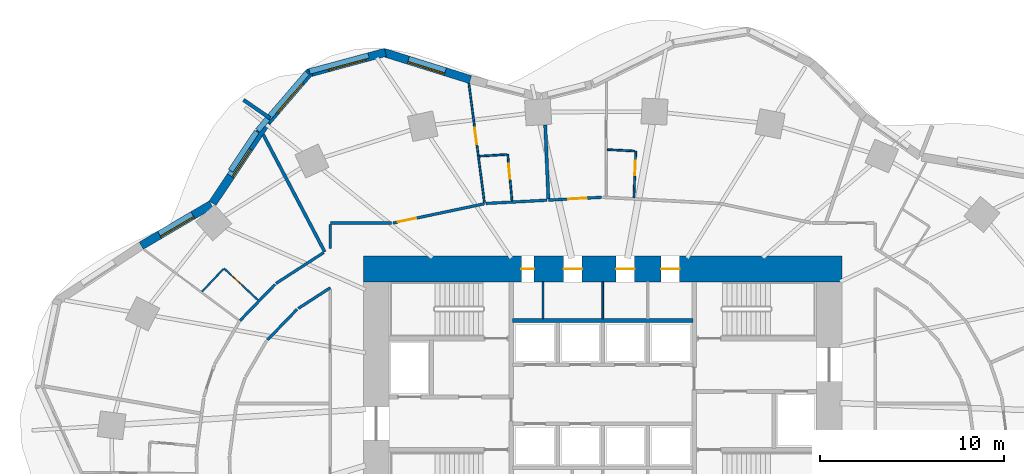
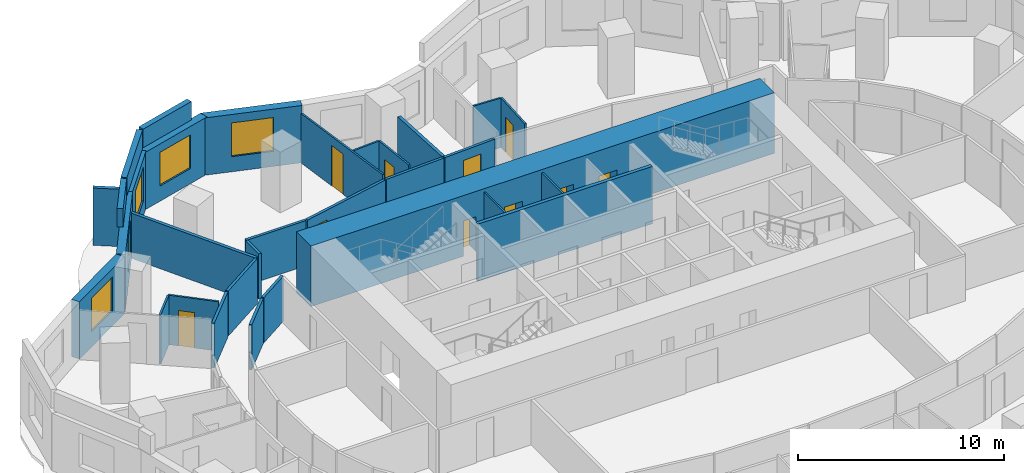
# One storey, part 8 of 11: 31 walls, 10 doors, 5 windows, 15 openings.
"""IFC4 building model written with IfcOpenShell, lengths in metres."""

from ifc_helpers import new_model, si_unit, direction, frame, frame_2d, origin, place, context, subcontext, project, spatial, rectangle, extrude, material, layer, layer_set, type_object, element, fill, save


model = new_model("IFC4")

# Units and contexts
model_context = context("Model", 3, precision=1e-05, world=origin(), true_north=direction((0.0, 1.0)))
body_context = subcontext(model_context, "Body", "Model", "MODEL_VIEW")
ifc_project = project(units=[si_unit("LENGTHUNIT", "METRE"), si_unit("AREAUNIT", "SQUARE_METRE"), si_unit("VOLUMEUNIT", "CUBIC_METRE"), si_unit("PLANEANGLEUNIT", "RADIAN"), si_unit("MASSUNIT", "GRAM", prefix="KILO")], contexts=[model_context])

# Site, building, storey
site_placement = place(None, origin())
site = spatial("IfcSite", under=ifc_project, at=site_placement, CompositionType="ELEMENT")
building_placement = place(site_placement, origin())
building = spatial("IfcBuilding", under=site, at=building_placement, Name="Rubra Terraces Tower", CompositionType="ELEMENT")
storey_placement = place(building_placement, frame((0.0, 0.0, 48.300048828125)))
storey = spatial("IfcBuildingStorey", under=building, at=storey_placement, Name="L09", CompositionType="ELEMENT", Elevation=48.300048828125)

# Walls
ifc_material_1 = material(Name="Twin plasterboard on staggered steel stud, acoustic mineral wool", Category="steel")
ifc_layer_1 = layer(ifc_material_1, 0.175048828125)
ifc_layer_set_1 = layer_set([ifc_layer_1], Name="Twin plasterboard on staggered steel stud, acoustic mineral wool")
wall_type_1 = type_object("IfcWallType", Name="ACOUSTIC PARTY WALL 175", PredefinedType="PARTITIONING", material=ifc_layer_set_1)
wall_1_placement = place(storey_placement, frame((-3.124755859375, 19.126953125, 0.0), z_axis=(0.0, 0.0, 1.0), x_axis=(0.042285996913, -0.99910554721, 0.0)))
element("IfcWall", 1, at=wall_1_placement, inside=storey, type_object=wall_type_1, Name="PARTITION", PredefinedType="PARTITIONING", context=body_context, shape_type="SweptSolid", body=[
    extrude(rectangle(XDim=4.0126953125, YDim=0.175048828125, at=frame_2d((2.00634765625, 0.0))), origin(), (0.0, 0.0, 1.0), 2.679931640625),
])
wall_2_placement = place(storey_placement, frame((-18.438720703125, 18.585693359375, 0.0), z_axis=(0.0, 0.0, 1.0), x_axis=(0.464815231758, -0.885407702884, 0.0)))
element("IfcWall", 2, at=wall_2_placement, inside=storey, type_object=wall_type_1, Name="PARTITION", PredefinedType="PARTITIONING", context=body_context, shape_type="SweptSolid", body=[
    extrude(rectangle(XDim=7.177001953125, YDim=0.175048828125, at=frame_2d((3.58837890625, 0.0))), origin(), (0.0, 0.0, 1.0), 2.679931640625),
])

# Wall, opening, window
ifc_material_2 = material(Name="Brick masonry red-brown", Category="masonry")
ifc_layer_2 = layer(ifc_material_2, 0.449951171875)
ifc_layer_set_2 = layer_set([ifc_layer_2], Name="Brick masonry red-brown")
wall_type_2 = type_object("IfcWallType", Name="Brick facade wall 450", PredefinedType="SOLIDWALL", material=ifc_layer_set_2)
wall_3_placement = place(storey_placement, frame((-7.195556640625, 21.592529296875, 0.0), z_axis=(0.0, 0.0, 1.0), x_axis=(-0.954471218741, 0.298303021432, 0.0)))
wall_3 = element("IfcWall", 3, at=wall_3_placement, inside=storey, type_object=wall_type_2, Name="Facade wall L09 bay 13", PredefinedType="SOLIDWALL", context=body_context, shape_type="SweptSolid", body=[
    extrude(rectangle(XDim=4.959716796875, YDim=0.449951171875, at=frame_2d((2.47998046875, 0.0))), origin(), (0.0, 0.0, 1.0), 3.39990234375),
])
opening_1_placement = place(wall_3_placement, frame((1.4296875, 0.0, 0.89990234375)))
opening_1 = element("IfcOpeningElement", 4, at=opening_1_placement, cuts=wall_3, Name="Opening W1", PredefinedType="OPENING", context=body_context, shape_type="SweptSolid", body=[
    extrude(rectangle(XDim=2.10009765625, YDim=2.0, at=frame_2d((1.050048828125, 1.0))), frame((0.0, 0.23486328125, 0.0), z_axis=(0.0, -1.0, 0.0), x_axis=(1.0, 0.0, 0.0)), (0.0, 0.0, 1.0), 0.469970703125),
])
ifc_material_3 = material(Name="Clear glass in aluminium frame", Category="aluminium")
window_type_1 = type_object("IfcWindowType", Name="Fixed deep-set window 2100 x 2000", PartitioningType="SINGLE_PANEL", PredefinedType="WINDOW", material=ifc_material_3)
window_1_placement = place(opening_1_placement, origin())
window_1 = element("IfcWindow", 5, at=window_1_placement, inside=storey, type_object=window_type_1, Name="Window L09 bay 13", OverallHeight=2.0, OverallWidth=2.10009765625, PartitioningType="SINGLE_PANEL", PredefinedType="WINDOW", context=body_context, shape_type="SweptSolid", body=[
    extrude(rectangle(XDim=2.10009765625, YDim=2.0, at=frame_2d((1.050048828125, 1.0))), frame((0.0, 0.135009765625, 0.0), z_axis=(0.0, -1.0, 0.0), x_axis=(1.0, 0.0, 0.0)), (0.0, 0.0, 1.0), 0.06005859375),
])
fill(opening_1, window_1)

wall_4_placement = place(storey_placement, frame((-11.807373046875, 23.07080078125, 0.0), z_axis=(0.0, 0.0, 1.0), x_axis=(-0.965334520334, -0.261015830653, 0.0)))
wall_4 = element("IfcWall", 6, at=wall_4_placement, inside=storey, type_object=wall_type_2, Name="Facade wall L09 bay 14", PredefinedType="SOLIDWALL", context=body_context, shape_type="SweptSolid", body=[
    extrude(rectangle(XDim=4.37548828125, YDim=0.449951171875, at=frame_2d((2.187744140625, 0.0))), origin(), (0.0, 0.0, 1.0), 3.39990234375),
])
opening_2_placement = place(wall_4_placement, frame((1.1376953125, 0.0, 0.89990234375)))
opening_2 = element("IfcOpeningElement", 7, at=opening_2_placement, cuts=wall_4, Name="Opening W1", PredefinedType="OPENING", context=body_context, shape_type="SweptSolid", body=[
    extrude(rectangle(XDim=2.10009765625, YDim=2.0, at=frame_2d((1.050048828125, 1.0))), frame((0.0, 0.23486328125, 0.0), z_axis=(0.0, -1.0, 0.0), x_axis=(1.0, 0.0, 0.0)), (0.0, 0.0, 1.0), 0.469970703125),
])
window_2_placement = place(opening_2_placement, origin())
window_2 = element("IfcWindow", 8, at=window_2_placement, inside=storey, type_object=window_type_1, Name="Window L09 bay 14", OverallHeight=2.0, OverallWidth=2.10009765625, PartitioningType="SINGLE_PANEL", PredefinedType="WINDOW", context=body_context, shape_type="SweptSolid", body=[
    extrude(rectangle(XDim=2.10009765625, YDim=2.0, at=frame_2d((1.050048828125, 1.0))), frame((0.0, 0.135009765625, 0.0), z_axis=(0.0, -1.0, 0.0), x_axis=(1.0, 0.0, 0.0)), (0.0, 0.0, 1.0), 0.06005859375),
])
fill(opening_2, window_2)

wall_5_placement = place(storey_placement, frame((-15.91943359375, 21.999267578125, 0.0), z_axis=(0.0, 0.0, 1.0), x_axis=(-0.652009971272, -0.758210391225, 0.0)))
wall_5 = element("IfcWall", 9, at=wall_5_placement, inside=storey, type_object=wall_type_2, Name="Facade wall L09 bay 15", PredefinedType="SOLIDWALL", context=body_context, shape_type="SweptSolid", body=[
    extrude(rectangle(XDim=3.544921875, YDim=0.449951171875, at=frame_2d((1.7724609375, 0.0))), origin(), (0.0, 0.0, 1.0), 3.39990234375),
])
opening_3_placement = place(wall_5_placement, frame((0.722412109375, 0.0, 0.89990234375)))
opening_3 = element("IfcOpeningElement", 10, at=opening_3_placement, cuts=wall_5, Name="Opening W1", PredefinedType="OPENING", context=body_context, shape_type="SweptSolid", body=[
    extrude(rectangle(XDim=2.10009765625, YDim=2.0, at=frame_2d((1.050048828125, 1.0))), frame((0.0, 0.23486328125, 0.0), z_axis=(0.0, -1.0, 0.0), x_axis=(1.0, 0.0, 0.0)), (0.0, 0.0, 1.0), 0.469970703125),
])
window_3_placement = place(opening_3_placement, origin())
window_3 = element("IfcWindow", 11, at=window_3_placement, inside=storey, type_object=window_type_1, Name="Window L09 bay 15", OverallHeight=2.0, OverallWidth=2.10009765625, PartitioningType="SINGLE_PANEL", PredefinedType="WINDOW", context=body_context, shape_type="SweptSolid", body=[
    extrude(rectangle(XDim=2.10009765625, YDim=2.0, at=frame_2d((1.050048828125, 1.0))), frame((0.0, 0.135009765625, 0.0), z_axis=(0.0, -1.0, 0.0), x_axis=(1.0, 0.0, 0.0)), (0.0, 0.0, 1.0), 0.06005859375),
])
fill(opening_3, window_3)

wall_6_placement = place(storey_placement, frame((-18.21435546875, 19.333251953125, 0.0), z_axis=(0.0, 0.0, 1.0), x_axis=(-0.555833135316, -0.831293886471, 0.0)))
wall_6 = element("IfcWall", 12, at=wall_6_placement, inside=storey, type_object=wall_type_2, Name="Facade wall L09 bay 16", PredefinedType="SOLIDWALL", context=body_context, shape_type="SweptSolid", body=[
    extrude(rectangle(XDim=5.368408203125, YDim=0.449951171875, at=frame_2d((2.68408203125, 0.0))), origin(), (0.0, 0.0, 1.0), 3.39990234375),
])
opening_4_placement = place(wall_6_placement, frame((1.7841796875, 0.0, 0.89990234375)))
opening_4 = element("IfcOpeningElement", 13, at=opening_4_placement, cuts=wall_6, Name="Opening W6", PredefinedType="OPENING", context=body_context, shape_type="SweptSolid", body=[
    extrude(rectangle(XDim=1.800048828125, YDim=2.0, at=frame_2d((0.89990234375, 1.0))), frame((0.0, 0.23486328125, 0.0), z_axis=(0.0, -1.0, 0.0), x_axis=(1.0, 0.0, 0.0)), (0.0, 0.0, 1.0), 0.469970703125),
])
window_type_2 = type_object("IfcWindowType", Name="Fixed deep-set window at wind fin 1800 x 2000", PartitioningType="SINGLE_PANEL", PredefinedType="WINDOW", material=ifc_material_3)
window_4_placement = place(opening_4_placement, origin())
window_4 = element("IfcWindow", 14, at=window_4_placement, inside=storey, type_object=window_type_2, Name="Window L09 bay 16", OverallHeight=2.0, OverallWidth=1.800048828125, PartitioningType="SINGLE_PANEL", PredefinedType="WINDOW", context=body_context, shape_type="SweptSolid", body=[
    extrude(rectangle(XDim=1.800048828125, YDim=2.0, at=frame_2d((0.89990234375, 1.0))), frame((0.0, 0.135009765625, 0.0), z_axis=(0.0, -1.0, 0.0), x_axis=(1.0, 0.0, 0.0)), (0.0, 0.0, 1.0), 0.06005859375),
])
fill(opening_4, window_4)

wall_7_placement = place(storey_placement, frame((-21.265625, 14.805419921875, 0.0), z_axis=(0.0, 0.0, 1.0), x_axis=(-0.861975457737, -0.506950007653, 0.0)))
wall_7 = element("IfcWall", 15, at=wall_7_placement, inside=storey, type_object=wall_type_2, Name="Facade wall L09 bay 17", PredefinedType="SOLIDWALL", context=body_context, shape_type="SweptSolid", body=[
    extrude(rectangle(XDim=4.412841796875, YDim=0.449951171875, at=frame_2d((2.20654296875, 0.0))), origin(), (0.0, 0.0, 1.0), 3.39990234375),
])
opening_5_placement = place(wall_7_placement, frame((1.156494140625, 0.0, 0.89990234375)))
opening_5 = element("IfcOpeningElement", 16, at=opening_5_placement, cuts=wall_7, Name="Opening W1", PredefinedType="OPENING", context=body_context, shape_type="SweptSolid", body=[
    extrude(rectangle(XDim=2.10009765625, YDim=2.0, at=frame_2d((1.050048828125, 1.0))), frame((0.0, 0.23486328125, 0.0), z_axis=(0.0, -1.0, 0.0), x_axis=(1.0, 0.0, 0.0)), (0.0, 0.0, 1.0), 0.469970703125),
])
window_5_placement = place(opening_5_placement, origin())
window_5 = element("IfcWindow", 17, at=window_5_placement, inside=storey, type_object=window_type_1, Name="Window L09 bay 17", OverallHeight=2.0, OverallWidth=2.10009765625, PartitioningType="SINGLE_PANEL", PredefinedType="WINDOW", context=body_context, shape_type="SweptSolid", body=[
    extrude(rectangle(XDim=2.10009765625, YDim=2.0, at=frame_2d((1.050048828125, 1.0))), frame((0.0, 0.135009765625, 0.0), z_axis=(0.0, -1.0, 0.0), x_axis=(1.0, 0.0, 0.0)), (0.0, 0.0, 1.0), 0.06005859375),
])
fill(opening_5, window_5)

# Walls
ifc_layer_3 = layer(ifc_material_2, 0.300048828125)
ifc_layer_set_3 = layer_set([ifc_layer_3], Name="Brick masonry red-brown")
wall_type_3 = type_object("IfcWallType", Name="Brick parapet 300", PredefinedType="PARAPET", material=ifc_layer_set_3)
wall_8_placement = place(storey_placement, frame((-12.722412109375, 22.901123046875, 3.599853515625), z_axis=(0.0, 0.0, 1.0), x_axis=(-0.96534590031, -0.260973739589, 0.0)))
element("IfcWall", 18, at=wall_8_placement, inside=storey, type_object=wall_type_3, Name="Parapet L09 bay 14", PredefinedType="PARAPET", context=body_context, shape_type="SweptSolid", body=[
    extrude(rectangle(XDim=3.32568359375, YDim=0.300048828125, at=frame_2d((1.662841796875, 0.0))), origin(), (0.0, 0.0, 1.0), 1.10009765625),
])
wall_9_placement = place(storey_placement, frame((-16.055908203125, 21.95556640625, 3.599853515625), z_axis=(0.0, 0.0, 1.0), x_axis=(-0.652038588201, -0.75818578165, 0.0)))
element("IfcWall", 19, at=wall_9_placement, inside=storey, type_object=wall_type_3, Name="Parapet L09 bay 15", PredefinedType="PARAPET", context=body_context, shape_type="SweptSolid", body=[
    extrude(rectangle(XDim=4.1240234375, YDim=0.300048828125, at=frame_2d((2.06201171875, 0.0))), origin(), (0.0, 0.0, 1.0), 1.10009765625),
])
wall_10_placement = place(storey_placement, frame((-18.7919921875, 18.7666015625, 3.599853515625), z_axis=(0.0, 0.0, 1.0), x_axis=(-0.555843382853, -0.831287034507, 0.0)))
element("IfcWall", 20, at=wall_10_placement, inside=storey, type_object=wall_type_3, Name="Parapet L09 bay 16", PredefinedType="PARAPET", context=body_context, shape_type="SweptSolid", body=[
    extrude(rectangle(XDim=2.5615234375, YDim=0.300048828125, at=frame_2d((1.28076171875, 0.0))), origin(), (0.0, 0.0, 1.0), 1.10009765625),
])
ifc_layer_4 = layer(ifc_material_2, 0.199951171875)
ifc_layer_set_4 = layer_set([ifc_layer_4], Name="Brick masonry red-brown")
wall_type_4 = type_object("IfcWallType", Name="Brick wind fin 200", PredefinedType="SOLIDWALL", material=ifc_layer_set_4)
wall_11_placement = place(storey_placement, frame((-18.075927734375, 19.491943359375, 0.0), z_axis=(0.0, 0.0, 1.0), x_axis=(-0.822618823872, 0.568593238274, 0.0)))
element("IfcWall", 21, at=wall_11_placement, inside=storey, type_object=wall_type_4, Name="Wind fin L09 9", PredefinedType="SOLIDWALL", context=body_context, shape_type="SweptSolid", body=[
    extrude(rectangle(XDim=1.750244140625, YDim=0.199951171875, at=frame_2d((0.875, 0.0))), origin(), (0.0, 0.0, 1.0), 3.39990234375),
])

# Wall, openings, doors
ifc_material_4 = material(Name="Concrete C70", Category="concrete")
ifc_layer_5 = layer(ifc_material_4, 1.39990234375)
ifc_layer_set_5 = layer_set([ifc_layer_5], Name="Concrete C70")
wall_type_5 = type_object("IfcWallType", Name="CORE WALL 1400 C70", PredefinedType="SHEAR", material=ifc_layer_set_5)
wall_12_placement = place(storey_placement, frame((-13.0, 11.300048828125, 0.0), z_axis=(0.0, 0.0, 1.0), x_axis=(1.0, 0.0, 0.0)))
wall_12 = element("IfcWall", 22, at=wall_12_placement, inside=storey, type_object=wall_type_5, Name="CORE WALL N L09", PredefinedType="SHEAR", context=body_context, shape_type="SweptSolid", body=[
    extrude(rectangle(XDim=26.0, YDim=1.39990234375, at=frame_2d((13.0, 0.0))), origin(), (0.0, 0.0, 1.0), 3.599853515625),
])
opening_6_placement = place(wall_12_placement, frame((8.574951171875, 0.0, 0.0)))
opening_6 = element("IfcOpeningElement", 23, at=opening_6_placement, cuts=wall_12, Name="Opening L09.C23", PredefinedType="OPENING", context=body_context, shape_type="SweptSolid", body=[
    extrude(rectangle(XDim=0.699951171875, YDim=2.10009765625, at=frame_2d((0.35009765625, 1.050048828125))), frame((0.0, 0.7099609375, 0.0), z_axis=(0.0, -1.0, 0.0), x_axis=(1.0, 0.0, 0.0)), (0.0, 0.0, 1.0), 1.419921875),
])
opening_7_placement = place(wall_12_placement, frame((10.875, 0.0, 0.0)))
opening_7 = element("IfcOpeningElement", 24, at=opening_7_placement, cuts=wall_12, Name="Opening L09.C24", PredefinedType="OPENING", context=body_context, shape_type="SweptSolid", body=[
    extrude(rectangle(XDim=1.0, YDim=2.10009765625, at=frame_2d((0.5, 1.050048828125))), frame((0.0, 0.7099609375, 0.0), z_axis=(0.0, -1.0, 0.0), x_axis=(1.0, 0.0, 0.0)), (0.0, 0.0, 1.0), 1.419921875),
])
opening_8_placement = place(wall_12_placement, frame((13.72509765625, 0.0, 0.0)))
opening_8 = element("IfcOpeningElement", 25, at=opening_8_placement, cuts=wall_12, Name="Opening L09.C25", PredefinedType="OPENING", context=body_context, shape_type="SweptSolid", body=[
    extrude(rectangle(XDim=1.0, YDim=2.10009765625, at=frame_2d((0.5, 1.050048828125))), frame((0.0, 0.7099609375, 0.0), z_axis=(0.0, -1.0, 0.0), x_axis=(1.0, 0.0, 0.0)), (0.0, 0.0, 1.0), 1.419921875),
])
opening_9_placement = place(wall_12_placement, frame((16.175048828125, 0.0, 0.0)))
opening_9 = element("IfcOpeningElement", 26, at=opening_9_placement, cuts=wall_12, Name="Opening L09.C26", PredefinedType="OPENING", context=body_context, shape_type="SweptSolid", body=[
    extrude(rectangle(XDim=1.0, YDim=2.10009765625, at=frame_2d((0.5, 1.050048828125))), frame((0.0, 0.7099609375, 0.0), z_axis=(0.0, -1.0, 0.0), x_axis=(1.0, 0.0, 0.0)), (0.0, 0.0, 1.0), 1.419921875),
])
ifc_material_5 = material(Name="Painted steel", Category="steel")
door_type_1 = type_object("IfcDoorType", Name="Fire door 1000x2100 single", OperationType="NOTDEFINED", PredefinedType="DOOR", material=ifc_material_5)
door_1_placement = place(opening_7_placement, origin())
door_1 = element("IfcDoor", 27, at=door_1_placement, inside=storey, type_object=door_type_1, Name="Housekeeping store door", OperationType="SINGLE_SWING_RIGHT", OverallHeight=2.10009765625, OverallWidth=1.0, PredefinedType="DOOR", context=body_context, shape_type="SweptSolid", body=[
    extrude(rectangle(XDim=1.0, YDim=2.10009765625, at=frame_2d((0.5, 1.050048828125))), frame((0.0, 0.02490234375, 0.0), z_axis=(0.0, -1.0, 0.0), x_axis=(1.0, 0.0, 0.0)), (0.0, 0.0, 1.0), 0.050048828125),
])
fill(opening_7, door_1)
door_2_placement = place(opening_8_placement, origin())
door_2 = element("IfcDoor", 28, at=door_2_placement, inside=storey, type_object=door_type_1, Name="Ice and vending room door", OperationType="SINGLE_SWING_LEFT", OverallHeight=2.10009765625, OverallWidth=1.0, PredefinedType="DOOR", context=body_context, shape_type="SweptSolid", body=[
    extrude(rectangle(XDim=1.0, YDim=2.10009765625, at=frame_2d((0.5, 1.050048828125))), frame((0.0, 0.02490234375, 0.0), z_axis=(0.0, -1.0, 0.0), x_axis=(1.0, 0.0, 0.0)), (0.0, 0.0, 1.0), 0.050048828125),
])
fill(opening_8, door_2)
door_3_placement = place(opening_9_placement, origin())
door_3 = element("IfcDoor", 29, at=door_3_placement, inside=storey, type_object=door_type_1, Name="General store door", OperationType="SINGLE_SWING_RIGHT", OverallHeight=2.10009765625, OverallWidth=1.0, PredefinedType="DOOR", context=body_context, shape_type="SweptSolid", body=[
    extrude(rectangle(XDim=1.0, YDim=2.10009765625, at=frame_2d((0.5, 1.050048828125))), frame((0.0, 0.02490234375, 0.0), z_axis=(0.0, -1.0, 0.0), x_axis=(1.0, 0.0, 0.0)), (0.0, 0.0, 1.0), 0.050048828125),
])
fill(opening_9, door_3)
door_type_2 = type_object("IfcDoorType", Name="Riser access door 700x2100 single", OperationType="NOTDEFINED", PredefinedType="DOOR", material=ifc_material_5)
door_4_placement = place(opening_6_placement, origin())
door_4 = element("IfcDoor", 30, at=door_4_placement, inside=storey, type_object=door_type_2, Name="Water and drainage riser door", OperationType="SINGLE_SWING_LEFT", OverallHeight=2.10009765625, OverallWidth=0.699951171875, PredefinedType="DOOR", context=body_context, shape_type="SweptSolid", body=[
    extrude(rectangle(XDim=0.699951171875, YDim=2.10009765625, at=frame_2d((0.35009765625, 1.050048828125))), frame((0.0, 0.02490234375, 0.0), z_axis=(0.0, -1.0, 0.0), x_axis=(1.0, 0.0, 0.0)), (0.0, 0.0, 1.0), 0.050048828125),
])
fill(opening_6, door_4)

# Wall, opening, door
ifc_material_6 = material(Name="Plasterboard on steel stud, mineral wool infill", Category="steel")
ifc_layer_6 = layer(ifc_material_6, 0.14990234375)
ifc_layer_set_6 = layer_set([ifc_layer_6], Name="Plasterboard on steel stud, mineral wool infill")
wall_type_6 = type_object("IfcWallType", Name="CORRIDOR PARTITION 150", PredefinedType="PARTITIONING", material=ifc_layer_set_6)
wall_13_placement = place(storey_placement, frame((-0.074951171875, 15.19580078125, 0.0), z_axis=(0.0, 0.0, 1.0), x_axis=(-0.998591959352, -0.053048079307, 0.0)))
wall_13 = element("IfcWall", 31, at=wall_13_placement, inside=storey, type_object=wall_type_6, Name="PARTITION", PredefinedType="PARTITIONING", context=body_context, shape_type="SweptSolid", body=[
    extrude(rectangle(XDim=2.881103515625, YDim=0.14990234375, at=frame_2d((1.4404296875, 0.0))), origin(), (0.0, 0.0, 1.0), 2.679931640625),
])
opening_10_placement = place(wall_13_placement, frame((0.80810546875, 0.0, 0.0)))
opening_10 = element("IfcOpeningElement", 32, at=opening_10_placement, cuts=wall_13, Name="Opening 09-103", PredefinedType="OPENING", context=body_context, shape_type="SweptSolid", body=[
    extrude(rectangle(XDim=1.0, YDim=2.10009765625, at=frame_2d((0.5, 1.050048828125))), frame((0.0, 0.0849609375, 0.0), z_axis=(0.0, -1.0, 0.0), x_axis=(1.0, 0.0, 0.0)), (0.0, 0.0, 1.0), 0.169921875),
])
ifc_material_7 = material(Name="Painted timber door leaf", Category="wood")
door_type_3 = type_object("IfcDoorType", Name="ROOM DOOR 1000 X 2100", OperationType="SINGLE_SWING_LEFT", PredefinedType="DOOR", material=ifc_material_7)
door_5_placement = place(opening_10_placement, origin())
door_5 = element("IfcDoor", 33, at=door_5_placement, inside=storey, type_object=door_type_3, Name="DOOR 09-103", OperationType="SINGLE_SWING_RIGHT", OverallHeight=2.10009765625, OverallWidth=1.0, PredefinedType="DOOR", context=body_context, shape_type="SweptSolid", body=[
    extrude(rectangle(XDim=1.0, YDim=2.10009765625, at=frame_2d((0.5, 1.050048828125))), frame((0.0, 0.02490234375, 0.0), z_axis=(0.0, -1.0, 0.0), x_axis=(1.0, 0.0, 0.0)), (0.0, 0.0, 1.0), 0.050048828125),
])
fill(opening_10, door_5)

# Wall
wall_14_placement = place(storey_placement, frame((-3.02685546875, 15.038818359375, 0.0), z_axis=(0.0, 0.0, 1.0), x_axis=(-0.998589773409, -0.053089212123, 0.0)))
element("IfcWall", 34, at=wall_14_placement, inside=storey, type_object=wall_type_6, Name="PARTITION", PredefinedType="PARTITIONING", context=body_context, shape_type="SweptSolid", body=[
    extrude(rectangle(XDim=3.333984375, YDim=0.14990234375, at=frame_2d((1.6669921875, 0.0))), origin(), (0.0, 0.0, 1.0), 2.679931640625),
])

# Wall, opening, door
wall_15_placement = place(storey_placement, frame((-6.4296875, 14.84619140625, 0.0), z_axis=(0.0, 0.0, 1.0), x_axis=(-0.978470502428, -0.206386714394, 0.0)))
wall_15 = element("IfcWall", 35, at=wall_15_placement, inside=storey, type_object=wall_type_6, Name="PARTITION", PredefinedType="PARTITIONING", context=body_context, shape_type="SweptSolid", body=[
    extrude(rectangle(XDim=5.06884765625, YDim=0.14990234375, at=frame_2d((2.534423828125, 0.0))), origin(), (0.0, 0.0, 1.0), 2.679931640625),
])
opening_11_placement = place(wall_15_placement, frame((3.800048828125, 0.0, 0.0)))
opening_11 = element("IfcOpeningElement", 36, at=opening_11_placement, cuts=wall_15, Name="Opening 09-106", PredefinedType="OPENING", context=body_context, shape_type="SweptSolid", body=[
    extrude(rectangle(XDim=1.0, YDim=2.10009765625, at=frame_2d((0.5, 1.050048828125))), frame((0.0, 0.0849609375, 0.0), z_axis=(0.0, -1.0, 0.0), x_axis=(1.0, 0.0, 0.0)), (0.0, 0.0, 1.0), 0.169921875),
])
door_6_placement = place(opening_11_placement, origin())
door_6 = element("IfcDoor", 37, at=door_6_placement, inside=storey, type_object=door_type_3, Name="DOOR 09-106", OperationType="SINGLE_SWING_RIGHT", OverallHeight=2.10009765625, OverallWidth=1.0, PredefinedType="DOOR", context=body_context, shape_type="SweptSolid", body=[
    extrude(rectangle(XDim=1.0, YDim=2.10009765625, at=frame_2d((0.5, 1.050048828125))), frame((0.0, 0.02490234375, 0.0), z_axis=(0.0, -1.0, 0.0), x_axis=(1.0, 0.0, 0.0)), (0.0, 0.0, 1.0), 0.050048828125),
])
fill(opening_11, door_6)

# Walls
wall_16_placement = place(storey_placement, frame((-11.46435546875, 13.800048828125, 0.0), z_axis=(0.0, 0.0, 1.0), x_axis=(-1.0, 0.0, 0.0)))
element("IfcWall", 38, at=wall_16_placement, inside=storey, type_object=wall_type_6, Name="PARTITION", PredefinedType="PARTITIONING", context=body_context, shape_type="SweptSolid", body=[
    extrude(rectangle(XDim=3.335693359375, YDim=0.14990234375, at=frame_2d((1.66796875, 0.0))), origin(), (0.0, 0.0, 1.0), 2.679931640625),
])
wall_17_placement = place(storey_placement, frame((-14.800048828125, 13.72509765625, 0.0), z_axis=(0.0, 0.0, 1.0), x_axis=(-0.000188040613, -0.99999998232, 0.0)))
element("IfcWall", 39, at=wall_17_placement, inside=storey, type_object=wall_type_6, Name="PARTITION", PredefinedType="PARTITIONING", context=body_context, shape_type="SweptSolid", body=[
    extrude(rectangle(XDim=1.29833984375, YDim=0.14990234375, at=frame_2d((0.649169921875, 0.0))), origin(), (0.0, 0.0, 1.0), 2.679931640625),
])
wall_18_placement = place(storey_placement, frame((-15.165771484375, 12.1904296875, 0.0), z_axis=(0.0, 0.0, 1.0), x_axis=(-0.839538287855, -0.54330052754, 0.0)))
element("IfcWall", 40, at=wall_18_placement, inside=storey, type_object=wall_type_6, Name="PARTITION", PredefinedType="PARTITIONING", context=body_context, shape_type="SweptSolid", body=[
    extrude(rectangle(XDim=3.0830078125, YDim=0.14990234375, at=frame_2d((1.54150390625, 0.0))), origin(), (0.0, 0.0, 1.0), 2.679931640625),
])
wall_19_placement = place(storey_placement, frame((-17.80615234375, 10.461669921875, 0.0), z_axis=(0.0, 0.0, 1.0), x_axis=(-0.695227375123, -0.71878988368, 0.0)))
element("IfcWall", 41, at=wall_19_placement, inside=storey, type_object=wall_type_6, Name="PARTITION", PredefinedType="PARTITIONING", context=body_context, shape_type="SweptSolid", body=[
    extrude(rectangle(XDim=2.745849609375, YDim=0.14990234375, at=frame_2d((1.373046875, 0.0))), origin(), (0.0, 0.0, 1.0), 2.679931640625),
])
wall_20_placement = place(storey_placement, frame((-18.216796875, 7.447998046875, 0.0), z_axis=(0.0, 0.0, 1.0), x_axis=(0.695172542355, 0.718842914938, 0.0)))
element("IfcWall", 42, at=wall_20_placement, inside=storey, type_object=wall_type_6, Name="PARTITION", PredefinedType="PARTITIONING", context=body_context, shape_type="SweptSolid", body=[
    extrude(rectangle(XDim=2.32080078125, YDim=0.14990234375, at=frame_2d((1.160400390625, 0.0))), origin(), (0.0, 0.0, 1.0), 2.679931640625),
])
wall_21_placement = place(storey_placement, frame((-16.540283203125, 9.156982421875, 0.0), z_axis=(0.0, 0.0, 1.0), x_axis=(0.839529075717, 0.543314762385, 0.0)))
element("IfcWall", 43, at=wall_21_placement, inside=storey, type_object=wall_type_6, Name="PARTITION", PredefinedType="PARTITIONING", context=body_context, shape_type="SweptSolid", body=[
    extrude(rectangle(XDim=2.07275390625, YDim=0.14990234375, at=frame_2d((1.036376953125, 0.0))), origin(), (0.0, 0.0, 1.0), 2.679931640625),
])
ifc_material_8 = material(Name="Concrete C30", Category="concrete")
ifc_layer_7 = layer(ifc_material_8, 0.199951171875)
ifc_layer_set_7 = layer_set([ifc_layer_7], Name="Concrete C30")
wall_type_7 = type_object("IfcWallType", Name="Core wall 200 concrete", PredefinedType="SOLIDWALL", material=ifc_layer_set_7)
wall_22_placement = place(storey_placement, frame((-4.89990234375, 8.5, 0.0), z_axis=(0.0, 0.0, 1.0), x_axis=(1.0, 0.0, 0.0)))
element("IfcWall", 44, at=wall_22_placement, inside=storey, type_object=wall_type_7, Name="LIFT SHAFT WALL L09", PredefinedType="SOLIDWALL", context=body_context, shape_type="SweptSolid", body=[
    extrude(rectangle(XDim=9.7998046875, YDim=0.199951171875, at=frame_2d((4.89990234375, 0.0))), origin(), (0.0, 0.0, 1.0), 3.39990234375),
])

# Wall, opening, door
ifc_material_9 = material(Name="Plasterboard on steel stud", Category="steel")
ifc_layer_8 = layer(ifc_material_9, 0.10009765625)
ifc_layer_set_8 = layer_set([ifc_layer_8], Name="Plasterboard on steel stud")
wall_type_8 = type_object("IfcWallType", Name="ROOM PARTITION 100", PredefinedType="PARTITIONING", material=ifc_layer_set_8)
wall_23_placement = place(storey_placement, frame((1.69091796875, 15.18505859375, 0.0), z_axis=(0.0, 0.0, 1.0), x_axis=(0.041767275245, 0.999127366615, 0.0)))
wall_23 = element("IfcWall", 45, at=wall_23_placement, inside=storey, type_object=wall_type_8, Name="PARTITION", PredefinedType="PARTITIONING", context=body_context, shape_type="SweptSolid", body=[
    extrude(rectangle(XDim=2.525146484375, YDim=0.10009765625, at=frame_2d((1.2626953125, 0.0))), origin(), (0.0, 0.0, 1.0), 2.933837890625),
])
opening_12_placement = place(wall_23_placement, frame((1.199951171875, 0.0, 0.0)))
opening_12 = element("IfcOpeningElement", 46, at=opening_12_placement, cuts=wall_23, Name="Opening 09-101", PredefinedType="OPENING", context=body_context, shape_type="SweptSolid", body=[
    extrude(rectangle(XDim=0.800048828125, YDim=2.10009765625, at=frame_2d((0.39990234375, 1.050048828125))), frame((0.0, 0.06005859375, 0.0), z_axis=(0.0, -1.0, 0.0), x_axis=(1.0, 0.0, 0.0)), (0.0, 0.0, 1.0), 0.1201171875),
])
door_type_4 = type_object("IfcDoorType", Name="BATHROOM DOOR 800 X 2100", OperationType="SINGLE_SWING_LEFT", PredefinedType="DOOR", material=ifc_material_7)
door_7_placement = place(opening_12_placement, origin())
door_7 = element("IfcDoor", 47, at=door_7_placement, inside=storey, type_object=door_type_4, Name="DOOR 09-101", OperationType="SINGLE_SWING_LEFT", OverallHeight=2.10009765625, OverallWidth=0.800048828125, PredefinedType="DOOR", context=body_context, shape_type="SweptSolid", body=[
    extrude(rectangle(XDim=0.800048828125, YDim=2.10009765625, at=frame_2d((0.39990234375, 1.050048828125))), frame((0.0, 0.02490234375, 0.0), z_axis=(0.0, -1.0, 0.0), x_axis=(1.0, 0.0, 0.0)), (0.0, 0.0, 1.0), 0.050048828125),
])
fill(opening_12, door_7)

# Wall
wall_24_placement = place(storey_placement, frame((1.74658203125, 17.71044921875, 0.0), z_axis=(0.0, 0.0, 1.0), x_axis=(-0.998699138712, 0.050990492611, 0.0)))
element("IfcWall", 48, at=wall_24_placement, inside=storey, type_object=wall_type_8, Name="PARTITION", PredefinedType="PARTITIONING", context=body_context, shape_type="SweptSolid", body=[
    extrude(rectangle(XDim=1.50341796875, YDim=0.10009765625, at=frame_2d((0.751708984375, 0.0))), origin(), (0.0, 0.0, 1.0), 2.933837890625),
])

# Wall, opening, door
wall_25_placement = place(storey_placement, frame((-7.27294921875, 21.381103515625, 0.0), z_axis=(0.0, 0.0, 1.0), x_axis=(0.129472190921, -0.991583053394, 0.0)))
wall_25 = element("IfcWall", 49, at=wall_25_placement, inside=storey, type_object=wall_type_8, Name="PARTITION", PredefinedType="PARTITIONING", context=body_context, shape_type="SweptSolid", body=[
    extrude(rectangle(XDim=6.51318359375, YDim=0.10009765625, at=frame_2d((3.256591796875, 0.0))), origin(), (0.0, 0.0, 1.0), 2.933837890625),
])
opening_13_placement = place(wall_25_placement, frame((2.43798828125, 0.0, 0.0)))
opening_13 = element("IfcOpeningElement", 50, at=opening_13_placement, cuts=wall_25, Name="Opening 09-105", PredefinedType="OPENING", context=body_context, shape_type="SweptSolid", body=[
    extrude(rectangle(XDim=0.89990234375, YDim=2.39990234375, at=frame_2d((0.449951171875, 1.199951171875))), frame((0.0, 0.06005859375, 0.0), z_axis=(0.0, -1.0, 0.0), x_axis=(1.0, 0.0, 0.0)), (0.0, 0.0, 1.0), 0.1201171875),
])
ifc_material_10 = material(Name="Veneered timber door leaf, fire-rated", Category="wood")
door_type_5 = type_object("IfcDoorType", Name="SUITE ENTRANCE DOOR 900 X 2400", OperationType="SINGLE_SWING_LEFT", PredefinedType="DOOR", material=ifc_material_10)
door_8_placement = place(opening_13_placement, origin())
door_8 = element("IfcDoor", 51, at=door_8_placement, inside=storey, type_object=door_type_5, Name="DOOR 09-105", OperationType="SINGLE_SWING_LEFT", OverallHeight=2.39990234375, OverallWidth=0.89990234375, PredefinedType="DOOR", context=body_context, shape_type="SweptSolid", body=[
    extrude(rectangle(XDim=0.89990234375, YDim=2.39990234375, at=frame_2d((0.449951171875, 1.199951171875))), frame((0.0, 0.02490234375, 0.0), z_axis=(0.0, -1.0, 0.0), x_axis=(1.0, 0.0, 0.0)), (0.0, 0.0, 1.0), 0.050048828125),
])
fill(opening_13, door_8)

wall_26_placement = place(storey_placement, frame((-4.93017578125, 15.0126953125, 0.0), z_axis=(0.0, 0.0, 1.0), x_axis=(-0.09194789711, 0.995763819496, 0.0)))
wall_26 = element("IfcWall", 52, at=wall_26_placement, inside=storey, type_object=wall_type_8, Name="PARTITION", PredefinedType="PARTITIONING", context=body_context, shape_type="SweptSolid", body=[
    extrude(rectangle(XDim=2.525146484375, YDim=0.10009765625, at=frame_2d((1.2626953125, 0.0))), origin(), (0.0, 0.0, 1.0), 2.933837890625),
])
opening_14_placement = place(wall_26_placement, frame((1.199951171875, 0.0, 0.0)))
opening_14 = element("IfcOpeningElement", 53, at=opening_14_placement, cuts=wall_26, Name="Opening 09-104", PredefinedType="OPENING", context=body_context, shape_type="SweptSolid", body=[
    extrude(rectangle(XDim=0.800048828125, YDim=2.10009765625, at=frame_2d((0.39990234375, 1.050048828125))), frame((0.0, 0.06005859375, 0.0), z_axis=(0.0, -1.0, 0.0), x_axis=(1.0, 0.0, 0.0)), (0.0, 0.0, 1.0), 0.1201171875),
])
door_9_placement = place(opening_14_placement, origin())
door_9 = element("IfcDoor", 54, at=door_9_placement, inside=storey, type_object=door_type_4, Name="DOOR 09-104", OperationType="SINGLE_SWING_LEFT", OverallHeight=2.10009765625, OverallWidth=0.800048828125, PredefinedType="DOOR", context=body_context, shape_type="SweptSolid", body=[
    extrude(rectangle(XDim=0.800048828125, YDim=2.10009765625, at=frame_2d((0.39990234375, 1.050048828125))), frame((0.0, 0.02490234375, 0.0), z_axis=(0.0, -1.0, 0.0), x_axis=(1.0, 0.0, 0.0)), (0.0, 0.0, 1.0), 0.050048828125),
])
fill(opening_14, door_9)

# Wall
wall_27_placement = place(storey_placement, frame((-5.212158203125, 17.52392578125, 0.0), z_axis=(0.0, 0.0, 1.0), x_axis=(-0.998018174443, -0.062926333769, 0.0)))
element("IfcWall", 55, at=wall_27_placement, inside=storey, type_object=wall_type_8, Name="PARTITION", PredefinedType="PARTITIONING", context=body_context, shape_type="SweptSolid", body=[
    extrude(rectangle(XDim=1.49755859375, YDim=0.10009765625, at=frame_2d((0.748779296875, 0.0))), origin(), (0.0, 0.0, 1.0), 2.933837890625),
])

# Wall, opening, door
wall_28_placement = place(storey_placement, frame((-18.730712890625, 9.613525390625, 0.0), z_axis=(0.0, 0.0, 1.0), x_axis=(-0.731286737376, 0.682070163354, 0.0)))
wall_28 = element("IfcWall", 56, at=wall_28_placement, inside=storey, type_object=wall_type_8, Name="PARTITION", PredefinedType="PARTITIONING", context=body_context, shape_type="SweptSolid", body=[
    extrude(rectangle(XDim=2.52490234375, YDim=0.10009765625, at=frame_2d((1.262451171875, 0.0))), origin(), (0.0, 0.0, 1.0), 2.933837890625),
])
opening_15_placement = place(wall_28_placement, frame((1.199951171875, 0.0, 0.0)))
opening_15 = element("IfcOpeningElement", 57, at=opening_15_placement, cuts=wall_28, Name="Opening 09-107", PredefinedType="OPENING", context=body_context, shape_type="SweptSolid", body=[
    extrude(rectangle(XDim=0.800048828125, YDim=2.10009765625, at=frame_2d((0.39990234375, 1.050048828125))), frame((0.0, 0.06005859375, 0.0), z_axis=(0.0, -1.0, 0.0), x_axis=(1.0, 0.0, 0.0)), (0.0, 0.0, 1.0), 0.1201171875),
])
door_10_placement = place(opening_15_placement, origin())
door_10 = element("IfcDoor", 58, at=door_10_placement, inside=storey, type_object=door_type_4, Name="DOOR 09-107", OperationType="SINGLE_SWING_LEFT", OverallHeight=2.10009765625, OverallWidth=0.800048828125, PredefinedType="DOOR", context=body_context, shape_type="SweptSolid", body=[
    extrude(rectangle(XDim=0.800048828125, YDim=2.10009765625, at=frame_2d((0.39990234375, 1.050048828125))), frame((0.0, 0.02490234375, 0.0), z_axis=(0.0, -1.0, 0.0), x_axis=(1.0, 0.0, 0.0)), (0.0, 0.0, 1.0), 0.050048828125),
])
fill(opening_15, door_10)

# Walls
wall_29_placement = place(storey_placement, frame((-20.611572265625, 11.29931640625, 0.0), z_axis=(0.0, 0.0, 1.0), x_axis=(-0.686181414116, -0.727430455041, 0.0)))
element("IfcWall", 59, at=wall_29_placement, inside=storey, type_object=wall_type_8, Name="PARTITION", PredefinedType="PARTITIONING", context=body_context, shape_type="SweptSolid", body=[
    extrude(rectangle(XDim=1.686767578125, YDim=0.10009765625, at=frame_2d((0.84326171875, 0.0))), origin(), (0.0, 0.0, 1.0), 2.933837890625),
])
ifc_material_11 = material(Name="Blockwork", Category="masonry")
ifc_layer_9 = layer(ifc_material_11, 0.10009765625)
ifc_layer_set_9 = layer_set([ifc_layer_9], Name="Blockwork")
wall_type_9 = type_object("IfcWallType", Name="Service partition 100 blockwork", PredefinedType="PARTITIONING", material=ifc_layer_set_9)
for number, where, z_axis, x_axis, name in (
    (60, (-3.25, 8.60009765625, 0.0), (0.0, 0.0, 1.0), (0.0, 1.0, 0.0), "SERVICE ROOM PARTITION L09"),
    (61, (0.0, 8.60009765625, 0.0), (0.0, 0.0, 1.0), (0.0, 1.0, 0.0), "SERVICE ROOM PARTITION L09"),
):
    element("IfcWall", number, at=place(storey_placement, frame(where, z_axis=z_axis, x_axis=x_axis)), inside=storey, type_object=wall_type_9, Name=name, PredefinedType="PARTITIONING", context=body_context, shape_type="SweptSolid", body=[
        extrude(rectangle(XDim=2.0, YDim=0.10009765625, at=frame_2d((1.0, 0.0))), origin(), (0.0, 0.0, 1.0), 3.39990234375),
    ])

save(model, "model.ifc")
